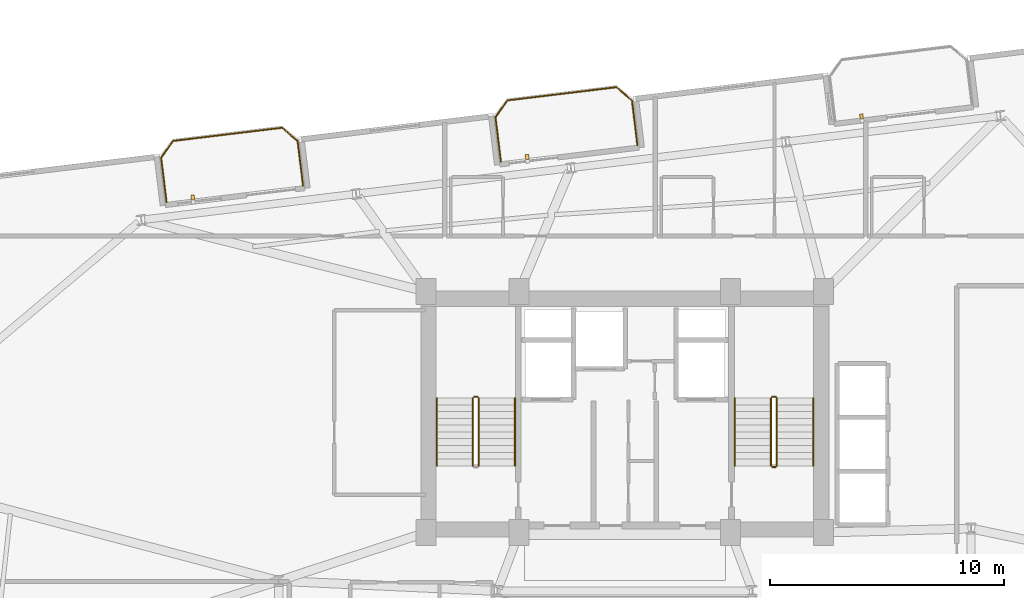
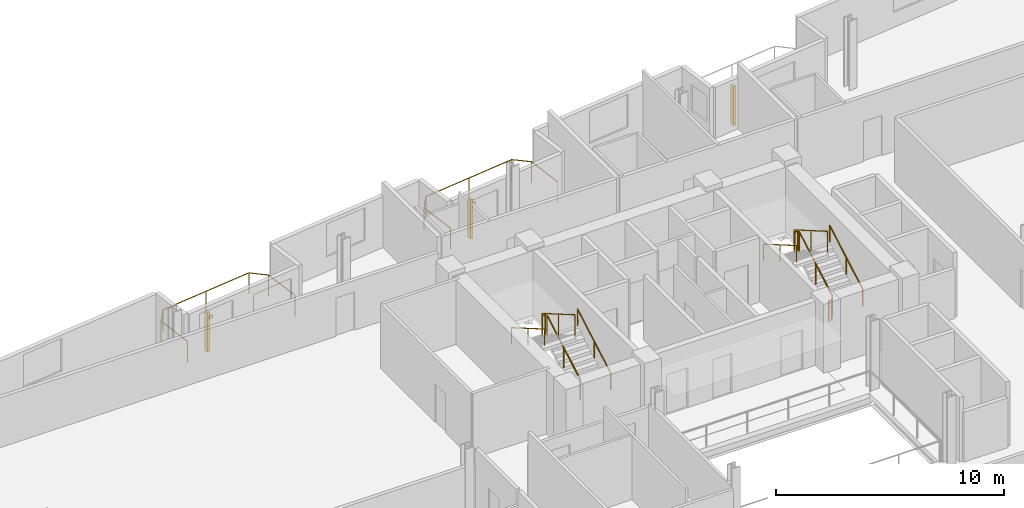
# One storey, part 22 of 23: 13 railings, 3 shading devices.
"""IFC4 building model written with IfcOpenShell, lengths in metres."""

import ifcopenshell
import ifcopenshell.guid

model = None  # the IFC model being written
_history = None  # IfcOwnerHistory: only IFC2X3 demands one
_inside = {}  # id of a spatial element -> (the spatial element, [elements in it])
_under = {}  # id of a project, library or spatial element -> (it, [spatial elements below it])
_declared = {}  # id of a project -> (the project, [libraries it declares])
_typed = {}  # id of a type object -> (the type object, [elements of that type])
_made_of = {}  # id of a material, layer set ... -> (it, [elements and type objects made of it])


def new_model(schema):
    """Start an empty IFC model of exactly this schema.

    Asked for "IFC4X3", IfcOpenShell would pick the latest addendum, in which some entities
    have other attributes; the version numbers below select the first issue.
    IFC2X3 requires an IfcOwnerHistory on every rooted entity: one is made here for all.
    """
    global model, _history
    if schema == "IFC4X3":
        model = ifcopenshell.file(schema_version=(4, 3, 0, 0))
    else:
        model = ifcopenshell.file(schema=schema)
    _inside.clear()
    _under.clear()
    _declared.clear()
    _typed.clear()
    _made_of.clear()
    _history = None
    if model.schema == "IFC2X3":
        org = make("IfcOrganization", Name="unknown")
        user = make(
            "IfcPersonAndOrganization",
            ThePerson=make("IfcPerson", FamilyName="unknown"),
            TheOrganization=org,
        )
        app = make(
            "IfcApplication",
            ApplicationDeveloper=org,
            Version="unknown",
            ApplicationFullName="unknown",
            ApplicationIdentifier="unknown",
        )
        _history = make(
            "IfcOwnerHistory",
            OwningUser=user,
            OwningApplication=app,
            ChangeAction="ADDED",
            CreationDate=0,
        )
    return model


def make(cls, **values):
    """One entity of the class cls with the attributes given. An attribute that is None is left unset."""
    return model.create_entity(
        cls, **{name: value for name, value in values.items() if value is not None}
    )


def rooted(cls, **values):
    """An entity with a GlobalId (a new one), such as an element, a storey or a relation."""
    return make(cls, GlobalId=ifcopenshell.guid.new(), OwnerHistory=_history, **values)


def si_unit(unit_type, name, prefix=None):
    """IfcSIUnit, for example si_unit("LENGTHUNIT", "METRE", prefix="MILLI")."""
    return make("IfcSIUnit", UnitType=unit_type, Prefix=prefix, Name=name)


def assignment(units):
    """IfcUnitAssignment: the units of a project."""
    return None if units is None else make("IfcUnitAssignment", Units=units)


def point(xyz):
    """IfcCartesianPoint."""
    return None if xyz is None else make("IfcCartesianPoint", Coordinates=xyz)


def direction(xyz):
    """IfcDirection."""
    return None if xyz is None else make("IfcDirection", DirectionRatios=xyz)


def frame(location, z_axis=None, x_axis=None):
    """IfcAxis2Placement3D, a coordinate frame: its origin and axes. An axis left out is left unset."""
    return make(
        "IfcAxis2Placement3D",
        Location=point(location),
        Axis=direction(z_axis),
        RefDirection=direction(x_axis),
    )


def frame_2d(location, x_axis=None):
    """IfcAxis2Placement2D, a coordinate frame in the plane: its origin and x axis."""
    return make(
        "IfcAxis2Placement2D", Location=point(location), RefDirection=direction(x_axis)
    )


def origin():
    """The frame at (0, 0, 0) with its axes left unset."""
    return frame((0.0, 0.0, 0.0))


def origin_2d():
    """The frame at (0, 0) in the plane with its x axis left unset."""
    return frame_2d((0.0, 0.0))


def place(relative_to, where):
    """IfcLocalPlacement: puts the frame where relative to a parent placement (None: the world)."""
    return make(
        "IfcLocalPlacement", PlacementRelTo=relative_to, RelativePlacement=where
    )


def context(
    kind, dimensions, precision=None, world=None, true_north=None, identifier=None
):
    """IfcGeometricRepresentationContext, for example the 3D "Model" context."""
    return make(
        "IfcGeometricRepresentationContext",
        ContextIdentifier=identifier,
        ContextType=kind,
        CoordinateSpaceDimension=dimensions,
        Precision=precision,
        WorldCoordinateSystem=world,
        TrueNorth=true_north,
    )


def subcontext(parent, identifier, kind, view, scale=None):
    """IfcGeometricRepresentationSubContext, for example "Body" below "Model"."""
    return make(
        "IfcGeometricRepresentationSubContext",
        ContextIdentifier=identifier,
        ContextType=kind,
        ParentContext=parent,
        TargetScale=scale,
        TargetView=view,
    )


def project(units=None, contexts=None):
    """IfcProject with its units and contexts."""
    return rooted(
        "IfcProject",
        Name="project",
        RepresentationContexts=contexts,
        UnitsInContext=assignment(units),
    )


def spatial(cls, under=None, at=None, **own):
    """A site, building, storey or space (cls), placed at a placement, below another one or the project."""
    s = rooted(cls, ObjectPlacement=at, **own)
    if under is not None:
        _under.setdefault(under.id(), (under, []))[1].append(s)
    return s


def profile(cls, at=None, kind="AREA", **sizes):
    """A parametric profile (cls). Its sizes go by their IFC names, for example OverallWidth=200.0."""
    return make(cls, ProfileType=kind, Position=at, **sizes)


def rectangle(**sizes):
    """IfcRectangleProfileDef."""
    return profile("IfcRectangleProfileDef", **sizes)


def circle(**sizes):
    """IfcCircleProfileDef."""
    return profile("IfcCircleProfileDef", **sizes)


def extrude(swept, where, along, depth):
    """IfcExtrudedAreaSolid: the profile swept, set in the frame where, extruded along a direction by depth."""
    return make(
        "IfcExtrudedAreaSolid",
        SweptArea=swept,
        Position=where,
        ExtrudedDirection=direction(along),
        Depth=depth,
    )


def shape(context_of_items, identifier, shape_type, items):
    """IfcShapeRepresentation: the items that make up one representation, for example the "Body"."""
    return make(
        "IfcShapeRepresentation",
        ContextOfItems=context_of_items,
        RepresentationIdentifier=identifier,
        RepresentationType=shape_type,
        Items=items,
    )


def source(mapping_origin, context_of_items, identifier, shape_type, items):
    """IfcRepresentationMap: a shape defined once, which mapped items show again and again."""
    return make(
        "IfcRepresentationMap",
        MappingOrigin=mapping_origin,
        MappedRepresentation=shape(context_of_items, identifier, shape_type, items),
    )


def transform(
    local_origin,
    x_axis=None,
    y_axis=None,
    z_axis=None,
    scale=None,
    scale2=None,
    scale3=None,
    uniform=True,
):
    """IfcCartesianTransformationOperator3D, or its non-uniform kind. x_axis, y_axis, z_axis: its Axis1, 2, 3."""
    if uniform:
        return make(
            "IfcCartesianTransformationOperator3D",
            Axis1=direction(x_axis),
            Axis2=direction(y_axis),
            LocalOrigin=point(local_origin),
            Scale=scale,
            Axis3=direction(z_axis),
        )
    return make(
        "IfcCartesianTransformationOperator3DnonUniform",
        Axis1=direction(x_axis),
        Axis2=direction(y_axis),
        LocalOrigin=point(local_origin),
        Scale=scale,
        Axis3=direction(z_axis),
        Scale2=scale2,
        Scale3=scale3,
    )


def mapped(mapping_source, mapping_target):
    """IfcMappedItem: shows the shape of a source again, moved by a transform."""
    return make(
        "IfcMappedItem", MappingSource=mapping_source, MappingTarget=mapping_target
    )


def material(Name=None, Category=None):
    """IfcMaterial."""
    return make("IfcMaterial", Name=Name, Category=Category)


def made_of(thing, what):
    """Note that an element or type object is made of a material, layer set ...; save() writes the relation."""
    if what is not None:
        _made_of.setdefault(what.id(), (what, []))[1].append(thing)
    return thing


def type_object(cls, material=None, **own):
    """A type object (cls), such as IfcWallType, which elements share."""
    return made_of(rooted(cls, **own), material)


def element(
    cls,
    number,
    at=None,
    inside=None,
    cuts=None,
    type_object=None,
    material=None,
    context=None,
    identifier="Body",
    shape_type=None,
    held_by="IfcProductDefinitionShape",
    body=None,
    shapes=None,
    **own,
):
    """One element of the class cls, such as IfcWall. Its Tag is "e" and its number.

    at: its placement. inside: the storey or other place that contains it. cuts: it is an
    opening in that element (IfcRelVoidsElement). A single representation is given by context,
    identifier, shape_type and body (its items); several are given by shapes. held_by: the class
    of the entity that holds the representations. save() writes the other relations.
    """
    e = rooted(cls, Tag="e%d" % number, ObjectPlacement=at, **own)
    if body is not None:
        shapes = [shape(context, identifier, shape_type, body)]
    if shapes is not None:
        e.Representation = make(held_by, Representations=shapes)
    if inside is not None:
        _inside.setdefault(inside.id(), (inside, []))[1].append(e)
    if cuts is not None:
        rooted(
            "IfcRelVoidsElement", RelatingBuildingElement=cuts, RelatedOpeningElement=e
        )
    if type_object is not None:
        _typed.setdefault(type_object.id(), (type_object, []))[1].append(e)
    return made_of(e, material)


def aggregate(whole, parts):
    """IfcRelAggregates: a whole, such as a stair, and the parts it consists of."""
    return rooted("IfcRelAggregates", RelatingObject=whole, RelatedObjects=parts)


def save(model, path):
    """Write the relations noted so far, then the file.

    IfcRelAggregates (storeys below a building ...), IfcRelContainedInSpatialStructure (elements
    in a storey), IfcRelDefinesByType, IfcRelAssociatesMaterial and IfcRelDeclares: one each for
    every whole, place, type object, material and project.
    """
    for whole, parts in _under.values():
        aggregate(whole, parts)
    for where, things in _inside.values():
        rooted(
            "IfcRelContainedInSpatialStructure",
            RelatedElements=things,
            RelatingStructure=where,
        )
    for kind, things in _typed.values():
        rooted("IfcRelDefinesByType", RelatedObjects=things, RelatingType=kind)
    for what, things in _made_of.values():
        rooted("IfcRelAssociatesMaterial", RelatedObjects=things, RelatingMaterial=what)
    for by, libraries in _declared.values():
        rooted("IfcRelDeclares", RelatingContext=by, RelatedDefinitions=libraries)
    model.write(path)


model = new_model("IFC4")

# Units and contexts
model_context = context("Model", 3, precision=1e-05, world=origin(), true_north=direction((0.0, 1.0)))
body_context = subcontext(model_context, "Body", "Model", "MODEL_VIEW")
ifc_project = project(units=[si_unit("LENGTHUNIT", "METRE"), si_unit("AREAUNIT", "SQUARE_METRE"), si_unit("VOLUMEUNIT", "CUBIC_METRE"), si_unit("PLANEANGLEUNIT", "RADIAN"), si_unit("MASSUNIT", "GRAM", prefix="KILO")], contexts=[model_context])

# Site, building, storey
site_placement = place(None, origin())
site = spatial("IfcSite", under=ifc_project, at=site_placement, CompositionType="ELEMENT")
building_placement = place(site_placement, origin())
building = spatial("IfcBuilding", under=site, at=building_placement, Name="Varnelok Gate Tower", CompositionType="ELEMENT")
storey_placement = place(building_placement, frame((0.0, 0.0, 182.0)))
storey = spatial("IfcBuildingStorey", under=building, at=storey_placement, Name="L46", CompositionType="ELEMENT", Elevation=182.0)

# Railings
ifc_material_1 = material(Name="Low-E Laminated Double Glazing IGU", Category="glass")
railing_type_1 = type_object("IfcRailingType", Name="RL-BALC-1150", PredefinedType="BALUSTRADE", material=ifc_material_1)
railing_1_placement = place(storey_placement, frame((19.603271484375, 42.869384765625, 0.0)))
element("IfcRailing", 1, at=railing_1_placement, inside=storey, type_object=railing_type_1, Name="L46 North Terrace Balustrade 4", PredefinedType="BALUSTRADE", context=body_context, shape_type="SweptSolid", body=[
    extrude(circle(Radius=0.02392578125, at=origin_2d()), frame((0.0, 0.0, 1.1259765625), z_axis=(-0.120418709125, 0.992723191274, 0.0), x_axis=(-0.992723191274, -0.120418709125, 0.0)), (0.0, 0.0, 1.0), 1.919921875),
    extrude(circle(Radius=0.02392578125, at=origin_2d()), frame((-0.231201171875, 1.906005859375, 1.1259765625), z_axis=(0.57815621837, 0.815926091726, 0.0), x_axis=(-0.815926091726, 0.57815621837, 0.0)), (0.0, 0.0, 1.0), 0.8779296875),
    extrude(circle(Radius=0.02392578125, at=origin_2d()), frame((0.2763671875, 2.622314453125, 1.1259765625), z_axis=(0.992730585037, 0.120357739811, 0.0), x_axis=(-0.120357739811, 0.992730585037, 0.0)), (0.0, 0.0, 1.0), 4.699951171875),
    extrude(circle(Radius=0.02392578125, at=origin_2d()), frame((4.942138671875, 3.18798828125, 1.1259765625), z_axis=(0.756285086452, -0.654242208979, 0.0), x_axis=(0.654242208979, 0.756285086452, 0.0)), (0.0, 0.0, 1.0), 0.878173828125),
    extrude(circle(Radius=0.02392578125, at=origin_2d()), frame((5.606201171875, 2.613525390625, 1.1259765625), z_axis=(0.120293392036, -0.992738384386, 0.0), x_axis=(0.992738384386, 0.120293392036, 0.0)), (0.0, 0.0, 1.0), 1.919921875),
    extrude(circle(Radius=0.02099609375, at=origin_2d()), origin(), (0.0, 0.0, 1.0), 1.101806640625),
    extrude(circle(Radius=0.02099609375, at=origin_2d()), frame((-0.231201171875, 1.906005859375, 0.0)), (0.0, 0.0, 1.0), 1.101806640625),
    extrude(circle(Radius=0.02099609375, at=origin_2d()), frame((0.2763671875, 2.622314453125, 0.0)), (0.0, 0.0, 1.0), 1.101806640625),
    extrude(circle(Radius=0.02099609375, at=origin_2d()), frame((2.609375, 2.9052734375, 0.0)), (0.0, 0.0, 1.0), 1.101806640625),
    extrude(circle(Radius=0.02099609375, at=origin_2d()), frame((4.942138671875, 3.18798828125, 0.0)), (0.0, 0.0, 1.0), 1.101806640625),
    extrude(circle(Radius=0.02099609375, at=origin_2d()), frame((5.606201171875, 2.613525390625, 0.0)), (0.0, 0.0, 1.0), 1.101806640625),
    extrude(circle(Radius=0.02099609375, at=origin_2d()), frame((5.837158203125, 0.70751953125, 0.0)), (0.0, 0.0, 1.0), 1.101806640625),
])
railing_2_placement = place(storey_placement, frame((33.8984375, 44.602294921875, 0.0)))
element("IfcRailing", 2, at=railing_2_placement, inside=storey, type_object=railing_type_1, Name="L46 North Terrace Balustrade 5", PredefinedType="BALUSTRADE", context=body_context, shape_type="SweptSolid", body=[
    extrude(circle(Radius=0.02392578125, at=origin_2d()), frame((0.0, 0.0, 1.1259765625), z_axis=(-0.120293392036, 0.992738384386, 0.0), x_axis=(-0.992738384386, -0.120293392036, 0.0)), (0.0, 0.0, 1.0), 1.919921875),
    extrude(circle(Radius=0.02392578125, at=origin_2d()), frame((-0.23095703125, 1.906005859375, 1.1259765625), z_axis=(0.57815621837, 0.815926091726, 0.0), x_axis=(-0.815926091726, 0.57815621837, 0.0)), (0.0, 0.0, 1.0), 0.8779296875),
    extrude(circle(Radius=0.02392578125, at=origin_2d()), frame((0.276611328125, 2.622314453125, 1.1259765625), z_axis=(0.992730585037, 0.120357739811, 0.0), x_axis=(-0.120357739811, 0.992730585037, 0.0)), (0.0, 0.0, 1.0), 4.699951171875),
    extrude(circle(Radius=0.02392578125, at=origin_2d()), frame((4.9423828125, 3.18798828125, 1.1259765625), z_axis=(0.756303655992, -0.654220742513, 0.0), x_axis=(0.654220742513, 0.756303655992, 0.0)), (0.0, 0.0, 1.0), 0.877685546875),
    extrude(circle(Radius=0.02392578125, at=origin_2d()), frame((5.606201171875, 2.61376953125, 1.1259765625), z_axis=(0.12040351024, -0.992725034802, 0.0), x_axis=(0.992725034802, 0.12040351024, 0.0)), (0.0, 0.0, 1.0), 1.920166015625),
    extrude(circle(Radius=0.02099609375, at=origin_2d()), origin(), (0.0, 0.0, 1.0), 1.101806640625),
    extrude(circle(Radius=0.02099609375, at=origin_2d()), frame((-0.23095703125, 1.906005859375, 0.0)), (0.0, 0.0, 1.0), 1.101806640625),
    extrude(circle(Radius=0.02099609375, at=origin_2d()), frame((0.276611328125, 2.622314453125, 0.0)), (0.0, 0.0, 1.0), 1.101806640625),
    extrude(circle(Radius=0.02099609375, at=origin_2d()), frame((2.609375, 2.9052734375, 0.0)), (0.0, 0.0, 1.0), 1.101806640625),
    extrude(circle(Radius=0.02099609375, at=origin_2d()), frame((4.9423828125, 3.18798828125, 0.0)), (0.0, 0.0, 1.0), 1.101806640625),
    extrude(circle(Radius=0.02099609375, at=origin_2d()), frame((5.606201171875, 2.61376953125, 0.0)), (0.0, 0.0, 1.0), 1.101806640625),
    extrude(circle(Radius=0.02099609375, at=origin_2d()), frame((5.83740234375, 0.70751953125, 0.0)), (0.0, 0.0, 1.0), 1.101806640625),
])
ifc_material_2 = material(Name="Brushed Stainless Steel AISI 316", Category="steel")
railing_type_2 = type_object("IfcRailingType", Name="RL-HANDRAIL-900", PredefinedType="HANDRAIL", material=ifc_material_2)
railing_3_placement = place(storey_placement, frame((34.5, 31.60009765625, 0.168212890625)))
element("IfcRailing", 3, at=railing_3_placement, inside=storey, type_object=railing_type_2, Name="L46 ST-1 stair handrail 1", PredefinedType="HANDRAIL", context=body_context, shape_type="SweptSolid", body=[
    extrude(circle(Radius=0.02392578125, at=origin_2d()), frame((0.0, 0.0, 0.8759765625), z_axis=(0.0, 0.865038774852, 0.501705010941), x_axis=(-1.0, 0.0, 0.0)), (0.0, 0.0, 1.0), 3.352294921875),
    extrude(circle(Radius=0.02099609375, at=origin_2d()), origin(), (0.0, 0.0, 1.0), 0.851806640625),
    extrude(circle(Radius=0.02099609375, at=origin_2d()), frame((0.0, 1.449951171875, 0.8408203125)), (0.0, 0.0, 1.0), 0.851806640625),
    extrude(circle(Radius=0.02099609375, at=origin_2d()), frame((0.0, 2.89990234375, 1.681884765625)), (0.0, 0.0, 1.0), 0.851806640625),
])
railing_4_placement = place(storey_placement, frame((31.14990234375, 34.5, 2.01806640625)))
element("IfcRailing", 4, at=railing_4_placement, inside=storey, type_object=railing_type_2, Name="L46 ST-1 stair handrail 2", PredefinedType="HANDRAIL", context=body_context, shape_type="SweptSolid", body=[
    extrude(circle(Radius=0.02392578125, at=origin_2d()), frame((0.0, 0.0, 0.8759765625), z_axis=(0.0, -0.865038774852, 0.501705010941), x_axis=(1.0, 0.0, 0.0)), (0.0, 0.0, 1.0), 3.352294921875),
    extrude(circle(Radius=0.02099609375, at=origin_2d()), origin(), (0.0, 0.0, 1.0), 0.851806640625),
    extrude(circle(Radius=0.02099609375, at=origin_2d()), frame((0.0, -1.449951171875, 0.8408203125)), (0.0, 0.0, 1.0), 0.851806640625),
    extrude(circle(Radius=0.02099609375, at=origin_2d()), frame((0.0, -2.89990234375, 1.681884765625)), (0.0, 0.0, 1.0), 0.851806640625),
])
railing_5_placement = place(storey_placement, frame((47.25, 31.60009765625, 0.168212890625)))
element("IfcRailing", 5, at=railing_5_placement, inside=storey, type_object=railing_type_2, Name="L46 ST-2 stair handrail 1", PredefinedType="HANDRAIL", context=body_context, shape_type="SweptSolid", body=[
    extrude(circle(Radius=0.02392578125, at=origin_2d()), frame((0.0, 0.0, 0.8759765625), z_axis=(0.0, 0.865038774852, 0.501705010941), x_axis=(-1.0, 0.0, 0.0)), (0.0, 0.0, 1.0), 3.352294921875),
    extrude(circle(Radius=0.02099609375, at=origin_2d()), origin(), (0.0, 0.0, 1.0), 0.851806640625),
    extrude(circle(Radius=0.02099609375, at=origin_2d()), frame((0.0, 1.449951171875, 0.8408203125)), (0.0, 0.0, 1.0), 0.851806640625),
    extrude(circle(Radius=0.02099609375, at=origin_2d()), frame((0.0, 2.89990234375, 1.681884765625)), (0.0, 0.0, 1.0), 0.851806640625),
])
railing_6_placement = place(storey_placement, frame((43.89990234375, 34.5, 2.01806640625)))
element("IfcRailing", 6, at=railing_6_placement, inside=storey, type_object=railing_type_2, Name="L46 ST-2 stair handrail 2", PredefinedType="HANDRAIL", context=body_context, shape_type="SweptSolid", body=[
    extrude(circle(Radius=0.02392578125, at=origin_2d()), frame((0.0, 0.0, 0.8759765625), z_axis=(0.0, -0.865038774852, 0.501705010941), x_axis=(1.0, 0.0, 0.0)), (0.0, 0.0, 1.0), 3.352294921875),
    extrude(circle(Radius=0.02099609375, at=origin_2d()), origin(), (0.0, 0.0, 1.0), 0.851806640625),
    extrude(circle(Radius=0.02099609375, at=origin_2d()), frame((0.0, -1.449951171875, 0.8408203125)), (0.0, 0.0, 1.0), 0.851806640625),
    extrude(circle(Radius=0.02099609375, at=origin_2d()), frame((0.0, -2.89990234375, 1.681884765625)), (0.0, 0.0, 1.0), 0.851806640625),
])
ifc_material_3 = material(Name="Galvanized Steel Grade S350GD", Category="steel")
railing_type_3 = type_object("IfcRailingType", Name="RL-STAIR-GUARD1120", PredefinedType="GUARDRAIL", material=ifc_material_3)
railing_7_placement = place(storey_placement, frame((32.949951171875, 31.60009765625, 0.168212890625)))
element("IfcRailing", 7, at=railing_7_placement, inside=storey, type_object=railing_type_3, Name="L46 ST-1 stair guard 1", PredefinedType="GUARDRAIL", context=body_context, shape_type="SweptSolid", body=[
    extrude(circle(Radius=0.02392578125, at=origin_2d()), frame((0.0, 0.0, 1.09619140625), z_axis=(0.0, 0.865038774852, 0.501705010941), x_axis=(-1.0, 0.0, 0.0)), (0.0, 0.0, 1.0), 3.352294921875),
    extrude(circle(Radius=0.02099609375, at=origin_2d()), origin(), (0.0, 0.0, 1.0), 1.072021484375),
    extrude(circle(Radius=0.02099609375, at=origin_2d()), frame((0.0, 1.449951171875, 0.8408203125)), (0.0, 0.0, 1.0), 1.072021484375),
    extrude(circle(Radius=0.02099609375, at=origin_2d()), frame((0.0, 2.89990234375, 1.681884765625)), (0.0, 0.0, 1.0), 1.072021484375),
])
railing_8_placement = place(storey_placement, frame((32.89990234375, 34.550048828125, 1.85009765625)))
element("IfcRailing", 8, at=railing_8_placement, inside=storey, type_object=railing_type_3, Name="L46 ST-1 stair guard 2", PredefinedType="GUARDRAIL", context=body_context, shape_type="SweptSolid", body=[
    extrude(circle(Radius=0.02392578125, at=origin_2d()), frame((0.0, 0.0, 1.09619140625), z_axis=(-1.0, 0.0, 0.0), x_axis=(0.0, -1.0, 0.0)), (0.0, 0.0, 1.0), 0.14990234375),
    extrude(circle(Radius=0.02099609375, at=origin_2d()), origin(), (0.0, 0.0, 1.0), 1.072021484375),
    extrude(circle(Radius=0.02099609375, at=origin_2d()), frame((-0.14990234375, 0.0, 0.0)), (0.0, 0.0, 1.0), 1.072021484375),
])
railing_9_placement = place(storey_placement, frame((32.699951171875, 34.5, 2.01806640625)))
element("IfcRailing", 9, at=railing_9_placement, inside=storey, type_object=railing_type_3, Name="L46 ST-1 stair guard 3", PredefinedType="GUARDRAIL", context=body_context, shape_type="SweptSolid", body=[
    extrude(circle(Radius=0.02392578125, at=origin_2d()), frame((0.0, 0.0, 1.09619140625), z_axis=(0.0, -0.865038774852, 0.501705010941), x_axis=(1.0, 0.0, 0.0)), (0.0, 0.0, 1.0), 3.352294921875),
    extrude(circle(Radius=0.02099609375, at=origin_2d()), origin(), (0.0, 0.0, 1.0), 1.072021484375),
    extrude(circle(Radius=0.02099609375, at=origin_2d()), frame((0.0, -1.449951171875, 0.8408203125)), (0.0, 0.0, 1.0), 1.072021484375),
    extrude(circle(Radius=0.02099609375, at=origin_2d()), frame((0.0, -2.89990234375, 1.681884765625)), (0.0, 0.0, 1.0), 1.072021484375),
])
railing_10_placement = place(storey_placement, frame((45.699951171875, 31.60009765625, 0.168212890625)))
element("IfcRailing", 10, at=railing_10_placement, inside=storey, type_object=railing_type_3, Name="L46 ST-2 stair guard 1", PredefinedType="GUARDRAIL", context=body_context, shape_type="SweptSolid", body=[
    extrude(circle(Radius=0.02392578125, at=origin_2d()), frame((0.0, 0.0, 1.09619140625), z_axis=(0.0, 0.865038774852, 0.501705010941), x_axis=(-1.0, 0.0, 0.0)), (0.0, 0.0, 1.0), 3.352294921875),
    extrude(circle(Radius=0.02099609375, at=origin_2d()), origin(), (0.0, 0.0, 1.0), 1.072021484375),
    extrude(circle(Radius=0.02099609375, at=origin_2d()), frame((0.0, 1.449951171875, 0.8408203125)), (0.0, 0.0, 1.0), 1.072021484375),
    extrude(circle(Radius=0.02099609375, at=origin_2d()), frame((0.0, 2.89990234375, 1.681884765625)), (0.0, 0.0, 1.0), 1.072021484375),
])
railing_11_placement = place(storey_placement, frame((45.64990234375, 34.550048828125, 1.85009765625)))
element("IfcRailing", 11, at=railing_11_placement, inside=storey, type_object=railing_type_3, Name="L46 ST-2 stair guard 2", PredefinedType="GUARDRAIL", context=body_context, shape_type="SweptSolid", body=[
    extrude(circle(Radius=0.02392578125, at=origin_2d()), frame((0.0, 0.0, 1.09619140625), z_axis=(-1.0, 0.0, 0.0), x_axis=(0.0, -1.0, 0.0)), (0.0, 0.0, 1.0), 0.14990234375),
    extrude(circle(Radius=0.02099609375, at=origin_2d()), origin(), (0.0, 0.0, 1.0), 1.072021484375),
    extrude(circle(Radius=0.02099609375, at=origin_2d()), frame((-0.14990234375, 0.0, 0.0)), (0.0, 0.0, 1.0), 1.072021484375),
])
railing_12_placement = place(storey_placement, frame((45.449951171875, 34.5, 2.01806640625)))
element("IfcRailing", 12, at=railing_12_placement, inside=storey, type_object=railing_type_3, Name="L46 ST-2 stair guard 3", PredefinedType="GUARDRAIL", context=body_context, shape_type="SweptSolid", body=[
    extrude(circle(Radius=0.02392578125, at=origin_2d()), frame((0.0, 0.0, 1.09619140625), z_axis=(0.0, -0.865038774852, 0.501705010941), x_axis=(1.0, 0.0, 0.0)), (0.0, 0.0, 1.0), 3.352294921875),
    extrude(circle(Radius=0.02099609375, at=origin_2d()), origin(), (0.0, 0.0, 1.0), 1.072021484375),
    extrude(circle(Radius=0.02099609375, at=origin_2d()), frame((0.0, -1.449951171875, 0.8408203125)), (0.0, 0.0, 1.0), 1.072021484375),
    extrude(circle(Radius=0.02099609375, at=origin_2d()), frame((0.0, -2.89990234375, 1.681884765625)), (0.0, 0.0, 1.0), 1.072021484375),
])
railing_13_placement = place(storey_placement, frame((45.64990234375, 31.550048828125, 0.0)))
element("IfcRailing", 13, at=railing_13_placement, inside=storey, type_object=railing_type_3, Name="L46 ST-2 stair guard 4", PredefinedType="GUARDRAIL", context=body_context, shape_type="SweptSolid", body=[
    extrude(circle(Radius=0.02392578125, at=origin_2d()), frame((0.0, 0.0, 1.09619140625), z_axis=(-1.0, 0.0, 0.0), x_axis=(0.0, -1.0, 0.0)), (0.0, 0.0, 1.0), 0.14990234375),
    extrude(circle(Radius=0.02099609375, at=origin_2d()), origin(), (0.0, 0.0, 1.0), 1.072021484375),
    extrude(circle(Radius=0.02099609375, at=origin_2d()), frame((-0.14990234375, 0.0, 0.0)), (0.0, 0.0, 1.0), 1.072021484375),
])

# Shading devices
ifc_material_4 = material(Name="Glazed Architectural Terracotta Ceramic", Category="masonry")
shading_device_type = type_object("IfcShadingDeviceType", Name="SHD-TERRA-BAGUETTE", PredefinedType="USERDEFINED", material=ifc_material_4)
shared_shape = source(origin(), body_context, "Body", "SweptSolid", [
    extrude(rectangle(XDim=0.139892578125, YDim=0.219970703125, at=origin_2d()), origin(), (0.0, 0.0, 1.0), 2.10009765625),
])
for number, where, z_axis, x_axis, name in (
    (14, (20.7265625, 43.075927734375, 0.099853515625), (0.0, 0.0, 1.0), (0.992732158755, 0.12034475881, 0.0), "L46 Terracotta Ceramic Baguette Sunscreen 4.1"),
    (15, (35.021728515625, 44.80908203125, 0.099853515625), (0.0, 0.0, 1.0), (0.992732158755, 0.12034475881, 0.0), "L46 Terracotta Ceramic Baguette Sunscreen 5.1"),
    (16, (49.317138671875, 46.5419921875, 0.099853515625), (0.0, 0.0, 1.0), (0.992732158755, 0.12034475881, 0.0), "L46 Terracotta Ceramic Baguette Sunscreen 6.1"),
):
    element("IfcShadingDevice", number, at=place(storey_placement, frame(where, z_axis=z_axis, x_axis=x_axis)), inside=storey, type_object=shading_device_type, Name=name, ObjectType="BAGUETTE", PredefinedType="USERDEFINED", context=body_context, shape_type="MappedRepresentation", body=[
        mapped(shared_shape, transform((0.0, 0.0, 0.0), scale=1.0)),
    ])

save(model, "model.ifc")
